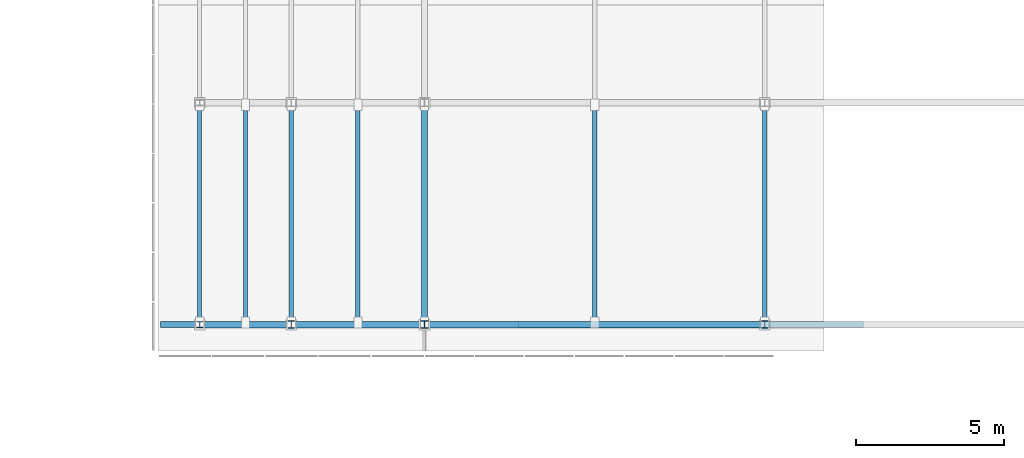
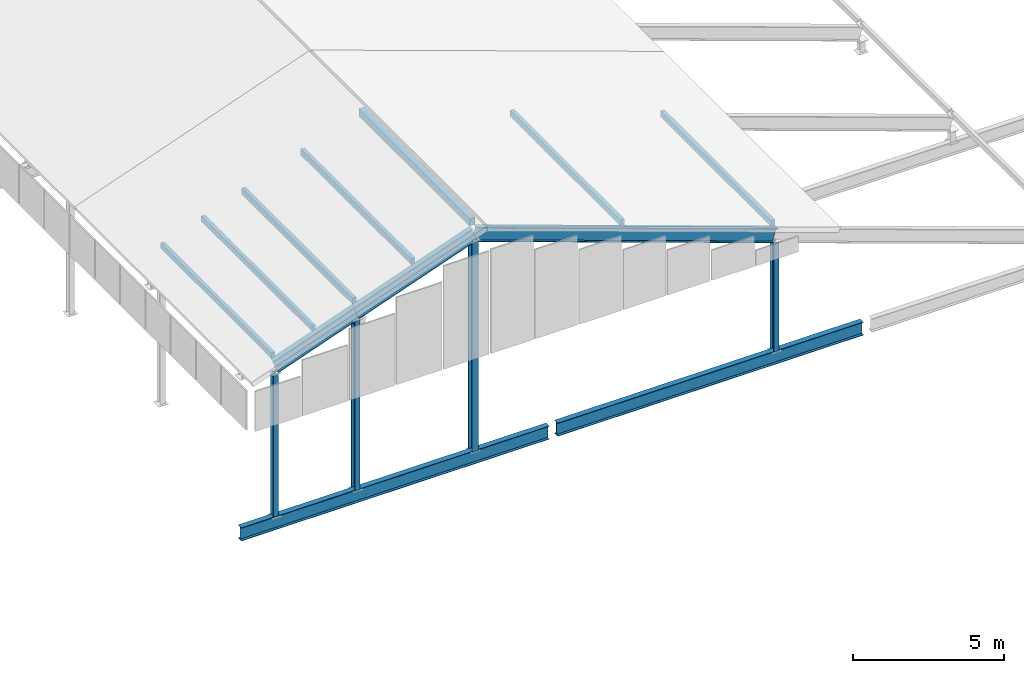
# One storey, part 21 of 42: 11 members, 5 beams.
"""IFC4 building model written with IfcOpenShell, lengths in metres."""

from ifc_helpers import new_model, si_unit, direction, frame, origin, origin_2d, place, context, subcontext, project, spatial, hollow_rectangle, i_section, extrude, material, material_profile, profile_set, type_object, element, save


model = new_model("IFC4")

# Units and contexts
model_context = context("Model", 3, precision=1e-05, world=origin(), true_north=direction((0.0, 1.0)))
body_context = subcontext(model_context, "Body", "Model", "MODEL_VIEW")
ifc_project = project(units=[si_unit("LENGTHUNIT", "METRE"), si_unit("AREAUNIT", "SQUARE_METRE"), si_unit("VOLUMEUNIT", "CUBIC_METRE"), si_unit("PLANEANGLEUNIT", "RADIAN"), si_unit("MASSUNIT", "GRAM", prefix="KILO")], contexts=[model_context])

# Site, building, storey
site_placement = place(None, origin())
site = spatial("IfcSite", under=ifc_project, at=site_placement, CompositionType="ELEMENT")
building_placement = place(site_placement, origin())
building = spatial("IfcBuilding", under=site, at=building_placement, Name="Kelmvaro Bay Concert Hall", CompositionType="ELEMENT")
storey_placement = place(building_placement, frame((0.0, 0.0, 26.699951171875)))
storey = spatial("IfcBuildingStorey", under=building, at=storey_placement, Name="RF", CompositionType="ELEMENT", Elevation=26.699951171875)

# Members
ifc_material_1 = material(Name="Steel ASTM A992 Grade 50", Category="steel")
ifc_material_profile_1 = material_profile(ifc_material_1, i_section(OverallWidth=0.25390625, OverallDepth=0.25390625, WebThickness=0.008544921875, FlangeThickness=0.01416015625, at=origin_2d()), Name="W10X49")
ifc_profile_set_1 = profile_set([ifc_material_profile_1], Name="Steel ASTM A992 Grade 50")
member_type_1 = type_object("IfcMemberType", Name="Crystal Crown King Post W10x49", PredefinedType="STRUT", material=ifc_profile_set_1)
member_1_placement = place(storey_placement, frame((141.0, 16.5, -4.514892578125), z_axis=(0.0, 0.0, 1.0), x_axis=(1.0, 0.0, 0.0)))
element("IfcMember", 1, at=member_1_placement, inside=storey, type_object=member_type_1, Name="V4 Crystal Roof Post 048", PredefinedType="STRUT", context=body_context, shape_type="SweptSolid", body=[
    extrude(i_section(OverallWidth=0.25390625, OverallDepth=0.25390625, WebThickness=0.008544921875, FlangeThickness=0.01416015625, at=origin_2d()), origin(), (0.0, 0.0, 1.0), 8.474365234375),
])
ifc_material_2 = material(Name="Steel ASTM A992 Grade 50", Category="steel")
ifc_material_profile_2 = material_profile(ifc_material_2, i_section(OverallWidth=0.201904296875, OverallDepth=0.2470703125, WebThickness=0.00732421875, FlangeThickness=0.010986328125, at=origin_2d()), Name="W10X33")
ifc_profile_set_2 = profile_set([ifc_material_profile_2], Name="Steel ASTM A992 Grade 50")
member_type_2 = type_object("IfcMemberType", Name="Crystal Crown Queen Post W10x33", PredefinedType="STRUT", material=ifc_profile_set_2)
member_2_placement = place(storey_placement, frame((136.5, 16.5, -4.514892578125), z_axis=(0.0, 0.0, 1.0), x_axis=(1.0, 0.0, 0.0)))
element("IfcMember", 2, at=member_2_placement, inside=storey, type_object=member_type_2, Name="V4 Crystal Roof Post 047", PredefinedType="STRUT", context=body_context, shape_type="SweptSolid", body=[
    extrude(i_section(OverallWidth=0.201904296875, OverallDepth=0.2470703125, WebThickness=0.00732421875, FlangeThickness=0.010986328125, at=origin_2d()), origin(), (0.0, 0.0, 1.0), 6.880859375),
])
member_3_placement = place(storey_placement, frame((152.5, 16.5, -4.514892578125), z_axis=(0.0, 0.0, 1.0), x_axis=(1.0, 0.0, 0.0)))
element("IfcMember", 3, at=member_3_placement, inside=storey, type_object=member_type_2, Name="V4 Crystal Roof Post 049", PredefinedType="STRUT", context=body_context, shape_type="SweptSolid", body=[
    extrude(i_section(OverallWidth=0.201904296875, OverallDepth=0.2470703125, WebThickness=0.00732421875, FlangeThickness=0.010986328125, at=origin_2d()), origin(), (0.0, 0.0, 1.0), 4.402099609375),
])
ifc_material_3 = material(Name="Steel ASTM A992 Grade 50", Category="steel")
ifc_material_profile_3 = material_profile(ifc_material_3, i_section(OverallWidth=0.2041015625, OverallDepth=0.2060546875, WebThickness=0.0078125, FlangeThickness=0.0126953125, at=origin_2d()), Name="W8X35")
ifc_profile_set_3 = profile_set([ifc_material_profile_3], Name="Steel ASTM A992 Grade 50")
member_type_3 = type_object("IfcMemberType", Name="Crystal Eave Tie Strut W8x35", PredefinedType="STRUT", material=ifc_profile_set_3)
member_4_placement = place(storey_placement, frame((133.39990234375, 16.5, -4.514892578125), z_axis=(0.0, 0.0, 1.0), x_axis=(1.0, 0.0, 0.0)))
element("IfcMember", 4, at=member_4_placement, inside=storey, type_object=member_type_3, Name="V4 Crystal Roof Post 046", PredefinedType="STRUT", context=body_context, shape_type="SweptSolid", body=[
    extrude(i_section(OverallWidth=0.2041015625, OverallDepth=0.2060546875, WebThickness=0.0078125, FlangeThickness=0.0126953125, at=origin_2d()), origin(), (0.0, 0.0, 1.0), 5.782958984375),
])
ifc_material_4 = material(Name="Steel ASTM A500 Grade C", Category="steel")
ifc_material_profile_4 = material_profile(ifc_material_4, hollow_rectangle(XDim=0.139892578125, YDim=0.219970703125, WallThickness=0.010009765625, at=origin_2d()), Name="HSS220X140X10")
ifc_profile_set_4 = profile_set([ifc_material_profile_4], Name="Steel ASTM A500 Grade C")
member_type_4 = type_object("IfcMemberType", Name="Crystal Roof Eave Purlin HSS220x140x10", PredefinedType="PURLIN", material=ifc_profile_set_4)
for number, where, z_axis, x_axis, name in (
    (5, (133.39990234375, 16.5849609375, 1.903076171875), (0.0, 1.0, 0.0), (-1.0, 0.0, 0.0), "V4 Crystal Roof Purlin 057"),
    (6, (134.949951171875, 16.5849609375, 2.4521484375), (0.0, 1.0, 0.0), (-1.0, 0.0, 0.0), "V4 Crystal Roof Purlin 060"),
):
    element("IfcMember", number, at=place(storey_placement, frame(where, z_axis=z_axis, x_axis=x_axis)), inside=storey, type_object=member_type_4, Name=name, PredefinedType="PURLIN", context=body_context, shape_type="SweptSolid", body=[
        extrude(hollow_rectangle(XDim=0.139892578125, YDim=0.219970703125, WallThickness=0.010009765625, at=origin_2d()), origin(), (0.0, 0.0, 1.0), 7.330078125),
    ])
ifc_material_5 = material(Name="Steel ASTM A500 Grade C", Category="steel")
ifc_material_profile_5 = material_profile(ifc_material_5, hollow_rectangle(XDim=0.14990234375, YDim=0.25, WallThickness=0.010009765625, at=origin_2d()), Name="HSS250X150X10")
ifc_profile_set_5 = profile_set([ifc_material_profile_5], Name="Steel ASTM A500 Grade C")
member_type_5 = type_object("IfcMemberType", Name="Crystal Roof Mid Purlin HSS250x150x10", PredefinedType="PURLIN", material=ifc_profile_set_5)
for number, where, z_axis, x_axis, name in (
    (7, (136.5, 16.5849609375, 3.015869140625), (0.0, 1.0, 0.0), (-1.0, 0.0, 0.0), "V4 Crystal Roof Purlin 063"),
    (8, (138.75, 16.5849609375, 3.812744140625), (0.0, 1.0, 0.0), (-1.0, 0.0, 0.0), "V4 Crystal Roof Purlin 066"),
    (9, (146.75, 16.5849609375, 2.5732421875), (0.0, 1.0, 0.0), (-1.0, 0.0, 0.0), "V4 Crystal Roof Purlin 072"),
    (10, (152.5, 16.5849609375, 0.537109375), (0.0, 1.0, 0.0), (-1.0, 0.0, 0.0), "V4 Crystal Roof Purlin 075"),
):
    element("IfcMember", number, at=place(storey_placement, frame(where, z_axis=z_axis, x_axis=x_axis)), inside=storey, type_object=member_type_5, Name=name, PredefinedType="PURLIN", context=body_context, shape_type="SweptSolid", body=[
        extrude(hollow_rectangle(XDim=0.14990234375, YDim=0.25, WallThickness=0.010009765625, at=origin_2d()), origin(), (0.0, 0.0, 1.0), 7.330078125),
    ])
ifc_material_6 = material(Name="Steel ASTM A500 Grade C", Category="steel")
ifc_material_profile_6 = material_profile(ifc_material_6, hollow_rectangle(XDim=0.199951171875, YDim=0.300048828125, WallThickness=0.012451171875, at=origin_2d()), Name="HSS300X200X12")
ifc_profile_set_6 = profile_set([ifc_material_profile_6], Name="Steel ASTM A500 Grade C")
member_type_6 = type_object("IfcMemberType", Name="Crystal Roof Ridge Purlin HSS300x200x12", PredefinedType="PURLIN", material=ifc_profile_set_6)
member_5_placement = place(storey_placement, frame((141.0, 16.5849609375, 4.634521484375), z_axis=(0.0, 1.0, 0.0), x_axis=(-1.0, 0.0, 0.0)))
element("IfcMember", 11, at=member_5_placement, inside=storey, type_object=member_type_6, Name="V4 Crystal Roof Purlin 069", PredefinedType="PURLIN", context=body_context, shape_type="SweptSolid", body=[
    extrude(hollow_rectangle(XDim=0.199951171875, YDim=0.300048828125, WallThickness=0.012451171875, at=origin_2d()), origin(), (0.0, 0.0, 1.0), 7.330078125),
])

# Beams
ifc_material_7 = material(Name="Steel ASTM A992 Grade 50", Category="steel")
ifc_material_profile_7 = material_profile(ifc_material_7, i_section(OverallWidth=0.2119140625, OverallDepth=0.5439453125, WebThickness=0.01318359375, FlangeThickness=0.021240234375, at=origin_2d()), Name="W21X83")
ifc_profile_set_7 = profile_set([ifc_material_profile_7], Name="Steel ASTM A992 Grade 50")
beam_type_1 = type_object("IfcBeamType", Name="Crystal Roof Sloped Rafter W21x83", PredefinedType="BEAM", material=ifc_profile_set_7)
beam_1_placement = place(storey_placement, frame((133.39990234375, 16.5, 1.525146484375), z_axis=(0.942632091971, 0.0, 0.333833400346), x_axis=(0.0, 1.0, 0.0)))
element("IfcBeam", 12, at=beam_1_placement, inside=storey, type_object=beam_type_1, Name="V4 Crystal Roof Rafter 050", PredefinedType="BEAM", context=body_context, shape_type="SweptSolid", body=[
    extrude(i_section(OverallWidth=0.2119140625, OverallDepth=0.5439453125, WebThickness=0.01318359375, FlangeThickness=0.021240234375, at=origin_2d()), origin(), (0.0, 0.0, 1.0), 3.288818359375),
])
beam_2_placement = place(storey_placement, frame((136.5, 16.5, 2.623046875), z_axis=(0.942643318013, 0.0, 0.333801700123), x_axis=(0.0, 1.0, 0.0)))
element("IfcBeam", 13, at=beam_2_placement, inside=storey, type_object=beam_type_1, Name="V4 Crystal Roof Rafter 051", PredefinedType="BEAM", context=body_context, shape_type="SweptSolid", body=[
    extrude(i_section(OverallWidth=0.2119140625, OverallDepth=0.5439453125, WebThickness=0.01318359375, FlangeThickness=0.021240234375, at=origin_2d()), origin(), (0.0, 0.0, 1.0), 4.77392578125),
])
beam_3_placement = place(storey_placement, frame((141.0, 16.5, 4.216552734375), z_axis=(0.942637720686, 0.0, -0.333817506342), x_axis=(0.0, 1.0, 0.0)))
element("IfcBeam", 14, at=beam_3_placement, inside=storey, type_object=beam_type_1, Name="V4 Crystal Roof Rafter 052", PredefinedType="BEAM", context=body_context, shape_type="SweptSolid", body=[
    extrude(i_section(OverallWidth=0.2119140625, OverallDepth=0.5439453125, WebThickness=0.01318359375, FlangeThickness=0.021240234375, at=origin_2d()), origin(), (0.0, 0.0, 1.0), 12.19970703125),
])
ifc_material_8 = material(Name="Steel ASTM A992 Grade 50", Category="steel")
ifc_material_profile_8 = material_profile(ifc_material_8, i_section(OverallWidth=0.2099609375, OverallDepth=0.535888671875, WebThickness=0.010986328125, FlangeThickness=0.017333984375, at=origin_2d()), Name="W21X68")
ifc_profile_set_8 = profile_set([ifc_material_profile_8], Name="Steel ASTM A992 Grade 50")
beam_type_2 = type_object("IfcBeamType", Name="Crystal Roof Tie Girder W21x68", PredefinedType="BEAM", material=ifc_profile_set_8)
beam_4_placement = place(storey_placement, frame((132.080078125, 16.5, -4.76806640625), z_axis=(1.0, 0.0, 0.0), x_axis=(0.0, 1.0, 0.0)))
element("IfcBeam", 15, at=beam_4_placement, inside=storey, type_object=beam_type_2, Name="V4 Crystal Roof Tie Girder 047", PredefinedType="BEAM", context=body_context, shape_type="SweptSolid", body=[
    extrude(i_section(OverallWidth=0.2099609375, OverallDepth=0.535888671875, WebThickness=0.010986328125, FlangeThickness=0.017333984375, at=origin_2d()), origin(), (0.0, 0.0, 1.0), 11.7548828125),
])
beam_5_placement = place(storey_placement, frame((144.1650390625, 16.5, -4.76806640625), z_axis=(1.0, 0.0, 0.0), x_axis=(0.0, 1.0, 0.0)))
element("IfcBeam", 16, at=beam_5_placement, inside=storey, type_object=beam_type_2, Name="V4 Crystal Roof Tie Girder 048", PredefinedType="BEAM", context=body_context, shape_type="SweptSolid", body=[
    extrude(i_section(OverallWidth=0.2099609375, OverallDepth=0.535888671875, WebThickness=0.010986328125, FlangeThickness=0.017333984375, at=origin_2d()), origin(), (0.0, 0.0, 1.0), 11.669921875),
])

save(model, "model.ifc")
